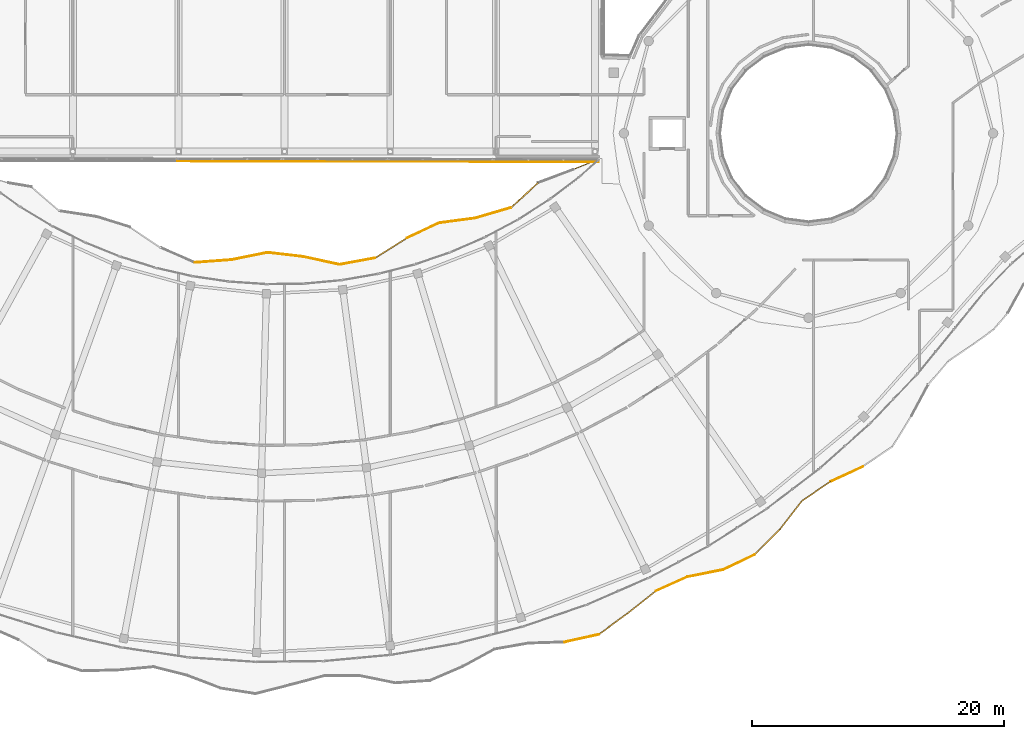
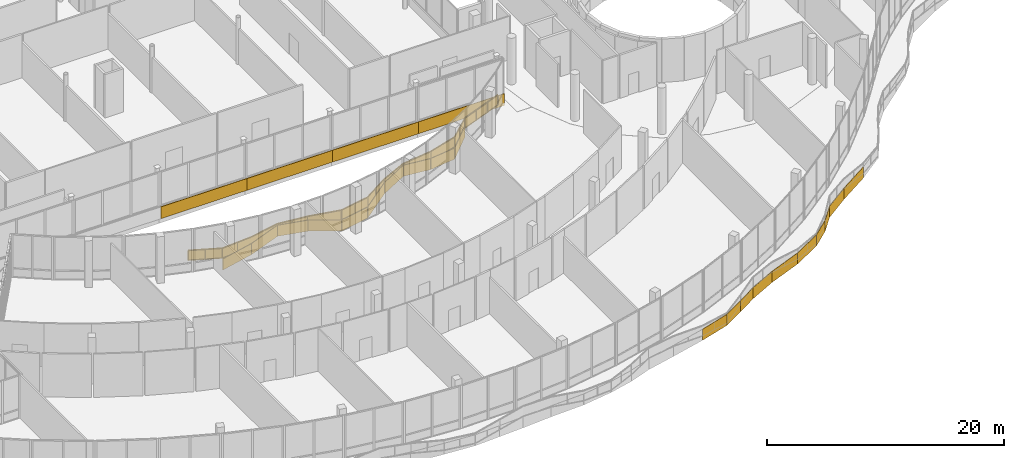
# One storey, part 146 of 155: 24 coverings, 1 railing.
"""IFC4 building model written with IfcOpenShell, lengths in metres."""

from ifc_helpers import new_model, si_unit, direction, frame, origin, origin_2d, place, context, subcontext, project, spatial, polyline, rectangle, outline, extrude, material, layer, layer_set, type_object, element, save


model = new_model("IFC4")

# Units and contexts
model_context = context("Model", 3, precision=1e-05, world=origin(), true_north=direction((0.0, 1.0)))
body_context = subcontext(model_context, "Body", "Model", "MODEL_VIEW")
ifc_project = project(units=[si_unit("LENGTHUNIT", "METRE"), si_unit("AREAUNIT", "SQUARE_METRE"), si_unit("VOLUMEUNIT", "CUBIC_METRE"), si_unit("PLANEANGLEUNIT", "RADIAN"), si_unit("MASSUNIT", "GRAM", prefix="KILO")], contexts=[model_context])

# Site, building, storey
site_placement = place(None, origin())
site = spatial("IfcSite", under=ifc_project, at=site_placement, CompositionType="ELEMENT")
building_placement = place(site_placement, origin())
building = spatial("IfcBuilding", under=site, at=building_placement, Name="Selatvlak General Hospital", CompositionType="ELEMENT")
storey_placement = place(building_placement, frame((0.0, 0.0, 10.199951171875)))
storey = spatial("IfcBuildingStorey", under=building, at=storey_placement, Name="L02", CompositionType="ELEMENT", Elevation=10.199951171875)

# Coverings
ifc_material_1 = material(Name="PVDF aluminium fascia - signal green", Category="aluminium")
ifc_layer_1 = layer(ifc_material_1, 0.070068359375, Name="PVDF aluminium fascia - signal green", Category="aluminium")
ifc_layer_set_1 = layer_set([ifc_layer_1], Name="PVDF aluminium fascia - signal green")
covering_type_1 = type_object("IfcCoveringType", Name="COV-RB-GRN", PredefinedType="CLADDING", material=ifc_layer_set_1)
covering_1_placement = place(storey_placement, frame((78.62890625, 13.613037109375, -0.4140625), z_axis=(0.0, 0.0, 1.0), x_axis=(0.976285312197, 0.21648784998, 0.0)))
element("IfcCovering", 1, at=covering_1_placement, inside=storey, type_object=covering_type_1, Name="L02 De Stijl waving fascia streamer 235", PredefinedType="CLADDING", context=body_context, shape_type="SweptSolid", body=[
    extrude(outline(polyline([(0.0, 0.0), (2.803466796875, 0.22021484375), (2.803466796875, 1.360107421875), (0.0, 1.139892578125), (0.0, 0.0)])), frame((0.0, 0.03515625, 0.0), z_axis=(0.0, -1.0, 0.0), x_axis=(1.0, 0.0, 0.0)), (0.0, 0.0, 1.0), 0.070068359375),
])
covering_2_placement = place(storey_placement, frame((81.364990234375, 14.219970703125, -0.19384765625), z_axis=(0.0, 0.0, 1.0), x_axis=(0.80467997945, 0.59370879282, 0.0)))
element("IfcCovering", 2, at=covering_2_placement, inside=storey, type_object=covering_type_1, Name="L02 De Stijl waving fascia streamer 236", PredefinedType="CLADDING", context=body_context, shape_type="SweptSolid", body=[
    extrude(outline(polyline([(0.0, 0.0), (2.8583984375, -0.445068359375), (2.8583984375, 0.69482421875), (0.0, 1.139892578125), (0.0, 0.0)])), frame((0.0, 0.03515625, 0.0), z_axis=(0.0, -1.0, 0.0), x_axis=(1.0, 0.0, 0.0)), (0.0, 0.0, 1.0), 0.070068359375),
])
covering_3_placement = place(storey_placement, frame((83.6650390625, 15.9169921875, -0.638916015625), z_axis=(0.0, 0.0, 1.0), x_axis=(0.784296306824, 0.620386414344, 0.0)))
element("IfcCovering", 3, at=covering_3_placement, inside=storey, type_object=covering_type_1, Name="L02 De Stijl waving fascia streamer 237", PredefinedType="CLADDING", context=body_context, shape_type="SweptSolid", body=[
    extrude(outline(polyline([(0.0, 0.0), (2.825439453125, -0.5009765625), (2.825439453125, 0.638916015625), (0.0, 1.139892578125), (0.0, 0.0)])), frame((0.0, 0.03515625, 0.0), z_axis=(0.0, -1.0, 0.0), x_axis=(1.0, 0.0, 0.0)), (0.0, 0.0, 1.0), 0.070068359375),
])
covering_4_placement = place(storey_placement, frame((85.8798828125, 17.6689453125, -1.139892578125), z_axis=(0.0, 0.0, 1.0), x_axis=(0.912155156516, 0.409845056626, 0.0)))
element("IfcCovering", 4, at=covering_4_placement, inside=storey, type_object=covering_type_1, Name="L02 De Stijl waving fascia streamer 238", PredefinedType="CLADDING", context=body_context, shape_type="SweptSolid", body=[
    extrude(outline(polyline([(0.0, 0.0), (2.7353515625, 0.1279296875), (2.7353515625, 1.267822265625), (0.0, 1.139892578125), (0.0, 0.0)])), frame((0.0, 0.03515625, 0.0), z_axis=(0.0, -1.0, 0.0), x_axis=(1.0, 0.0, 0.0)), (0.0, 0.0, 1.0), 0.070068359375),
])
covering_5_placement = place(storey_placement, frame((88.375, 18.7900390625, -1.011962890625), z_axis=(0.0, 0.0, 1.0), x_axis=(0.980677934452, 0.195629212742, 0.0)))
element("IfcCovering", 5, at=covering_5_placement, inside=storey, type_object=covering_type_1, Name="L02 De Stijl waving fascia streamer 239", PredefinedType="CLADDING", context=body_context, shape_type="SweptSolid", body=[
    extrude(outline(polyline([(0.0, 0.0), (2.892822265625, 0.5810546875), (2.892822265625, 1.720947265625), (0.0, 1.139892578125), (0.0, 0.0)])), frame((0.0, 0.03515625, 0.0), z_axis=(0.0, -1.0, 0.0), x_axis=(1.0, 0.0, 0.0)), (0.0, 0.0, 1.0), 0.070068359375),
])
covering_6_placement = place(storey_placement, frame((91.2109375, 19.35595703125, -0.430908203125), z_axis=(0.0, 0.0, 1.0), x_axis=(0.902997816233, 0.429645137152, 0.0)))
element("IfcCovering", 6, at=covering_6_placement, inside=storey, type_object=covering_type_1, Name="L02 De Stijl waving fascia streamer 240", PredefinedType="CLADDING", context=body_context, shape_type="SweptSolid", body=[
    extrude(outline(polyline([(0.0, 0.0), (2.79296875, 0.240966796875), (2.79296875, 1.380859375), (0.0, 1.139892578125), (0.0, 0.0)])), frame((0.0, 0.03515625, 0.0), z_axis=(0.0, -1.0, 0.0), x_axis=(1.0, 0.0, 0.0)), (0.0, 0.0, 1.0), 0.070068359375),
])
covering_7_placement = place(storey_placement, frame((93.73291015625, 20.554931640625, -0.18994140625), z_axis=(0.0, 0.0, 1.0), x_axis=(0.703950969934, 0.710248570523, 0.0)))
element("IfcCovering", 7, at=covering_7_placement, inside=storey, type_object=covering_type_1, Name="L02 De Stijl waving fascia streamer 241", PredefinedType="CLADDING", context=body_context, shape_type="SweptSolid", body=[
    extrude(outline(polyline([(0.0, 0.0), (2.830078125, -0.428955078125), (2.830078125, 0.7109375), (0.0, 1.139892578125), (0.0, 0.0)])), frame((0.0, 0.03515625, 0.0), z_axis=(0.0, -1.0, 0.0), x_axis=(1.0, 0.0, 0.0)), (0.0, 0.0, 1.0), 0.070068359375),
])
covering_8_placement = place(storey_placement, frame((95.72412109375, 22.56494140625, -0.618896484375), z_axis=(0.0, 0.0, 1.0), x_axis=(0.613757242628, 0.789494805, 0.0)))
element("IfcCovering", 8, at=covering_8_placement, inside=storey, type_object=covering_type_1, Name="L02 De Stijl waving fascia streamer 242", PredefinedType="CLADDING", context=body_context, shape_type="SweptSolid", body=[
    extrude(outline(polyline([(0.0, 0.0), (2.857666015625, -0.512939453125), (2.857666015625, 0.626953125), (0.0, 1.139892578125), (0.0, 0.0)])), frame((0.0, 0.03515625, 0.0), z_axis=(0.0, -1.0, 0.0), x_axis=(1.0, 0.0, 0.0)), (0.0, 0.0, 1.0), 0.070068359375),
])
covering_9_placement = place(storey_placement, frame((97.47802734375, 24.821044921875, -1.1318359375), z_axis=(0.0, 0.0, 1.0), x_axis=(0.828623574653, 0.559806191043, 0.0)))
element("IfcCovering", 9, at=covering_9_placement, inside=storey, type_object=covering_type_1, Name="L02 De Stijl waving fascia streamer 243", PredefinedType="CLADDING", context=body_context, shape_type="SweptSolid", body=[
    extrude(outline(polyline([(0.0, 0.0), (2.741943359375, 0.10595703125), (2.741943359375, 1.245849609375), (0.0, 1.139892578125), (0.0, 0.0)])), frame((0.0, 0.03515625, 0.0), z_axis=(0.0, -1.0, 0.0), x_axis=(1.0, 0.0, 0.0)), (0.0, 0.0, 1.0), 0.070068359375),
])
covering_10_placement = place(storey_placement, frame((99.7490234375, 26.35498046875, -1.02587890625), z_axis=(0.0, 0.0, 1.0), x_axis=(0.908036822909, 0.418890353484, 0.0)))
element("IfcCovering", 10, at=covering_10_placement, inside=storey, type_object=covering_type_1, Name="L02 De Stijl waving fascia streamer 244", PredefinedType="CLADDING", context=body_context, shape_type="SweptSolid", body=[
    extrude(outline(polyline([(0.0, 0.0), (2.85986328125, 0.578857421875), (2.85986328125, 1.71875), (0.0, 1.139892578125), (0.0, 0.0)])), frame((0.0, 0.03515625, 0.0), z_axis=(0.0, -1.0, 0.0), x_axis=(1.0, 0.0, 0.0)), (0.0, 0.0, 1.0), 0.070068359375),
])
covering_11_placement = place(storey_placement, frame((76.534912109375, 50.06689453125, -0.76806640625), z_axis=(0.0, 0.0, 1.0), x_axis=(-0.738148014706, -0.674638798458, 0.0)))
element("IfcCovering", 11, at=covering_11_placement, inside=storey, type_object=covering_type_1, Name="L02 De Stijl waving fascia streamer 286", PredefinedType="CLADDING", context=body_context, shape_type="SweptSolid", body=[
    extrude(outline(polyline([(0.0, 0.0), (2.913818359375, -0.411865234375), (2.913818359375, 0.72802734375), (0.0, 1.139892578125), (0.0, 0.0)])), frame((0.0, 0.03515625, 0.0), z_axis=(0.0, -1.0, 0.0), x_axis=(1.0, 0.0, 0.0)), (0.0, 0.0, 1.0), 0.070068359375),
])
covering_12_placement = place(storey_placement, frame((74.383056640625, 48.10107421875, -1.179931640625), z_axis=(0.0, 0.0, 1.0), x_axis=(-0.959267306125, -0.28249997416, 0.0)))
element("IfcCovering", 12, at=covering_12_placement, inside=storey, type_object=covering_type_1, Name="L02 De Stijl waving fascia streamer 287", PredefinedType="CLADDING", context=body_context, shape_type="SweptSolid", body=[
    extrude(outline(polyline([(0.0, 0.0), (2.931396484375, 0.410888671875), (2.931396484375, 1.55078125), (0.0, 1.139892578125), (0.0, 0.0)])), frame((0.0, 0.03515625, 0.0), z_axis=(0.0, -1.0, 0.0), x_axis=(1.0, 0.0, 0.0)), (0.0, 0.0, 1.0), 0.070068359375),
])
covering_13_placement = place(storey_placement, frame((71.570068359375, 47.27197265625, -0.76904296875), z_axis=(0.0, 0.0, 1.0), x_axis=(-0.99114671218, -0.132771212751, 0.0)))
element("IfcCovering", 13, at=covering_13_placement, inside=storey, type_object=covering_type_1, Name="L02 De Stijl waving fascia streamer 288", PredefinedType="CLADDING", context=body_context, shape_type="SweptSolid", body=[
    extrude(outline(polyline([(0.0, 0.0), (2.921875, 0.55712890625), (2.921875, 1.697021484375), (0.0, 1.139892578125), (0.0, 0.0)])), frame((0.0, 0.03515625, 0.0), z_axis=(0.0, -1.0, 0.0), x_axis=(1.0, 0.0, 0.0)), (0.0, 0.0, 1.0), 0.070068359375),
])
covering_14_placement = place(storey_placement, frame((68.673095703125, 46.884033203125, -0.2119140625), z_axis=(0.0, 0.0, 1.0), x_axis=(-0.905947373904, -0.423390311316, 0.0)))
element("IfcCovering", 14, at=covering_14_placement, inside=storey, type_object=covering_type_1, Name="L02 De Stijl waving fascia streamer 289", PredefinedType="CLADDING", context=body_context, shape_type="SweptSolid", body=[
    extrude(outline(polyline([(0.0, 0.0), (2.805908203125, -0.2080078125), (2.805908203125, 0.931884765625), (0.0, 1.139892578125), (0.0, 0.0)])), frame((0.0, 0.03515625, 0.0), z_axis=(0.0, -1.0, 0.0), x_axis=(1.0, 0.0, 0.0)), (0.0, 0.0, 1.0), 0.070068359375),
])
covering_15_placement = place(storey_placement, frame((66.1298828125, 45.695068359375, -0.419921875), z_axis=(0.0, 0.0, 1.0), x_axis=(-0.846406098989, -0.532537994508, 0.0)))
element("IfcCovering", 15, at=covering_15_placement, inside=storey, type_object=covering_type_1, Name="L02 De Stijl waving fascia streamer 290", PredefinedType="CLADDING", context=body_context, shape_type="SweptSolid", body=[
    extrude(outline(polyline([(0.0, 0.0), (2.98779296875, -0.633056640625), (2.98779296875, 0.5068359375), (0.0, 1.139892578125), (0.0, 0.0)])), frame((0.0, 0.03515625, 0.0), z_axis=(0.0, -1.0, 0.0), x_axis=(1.0, 0.0, 0.0)), (0.0, 0.0, 1.0), 0.070068359375),
])
covering_16_placement = place(storey_placement, frame((63.60009765625, 44.10400390625, -1.052978515625), z_axis=(0.0, 0.0, 1.0), x_axis=(-0.983352809917, -0.181706497485, 0.0)))
element("IfcCovering", 16, at=covering_16_placement, inside=storey, type_object=covering_type_1, Name="L02 De Stijl waving fascia streamer 291", PredefinedType="CLADDING", context=body_context, shape_type="SweptSolid", body=[
    extrude(outline(polyline([(0.0, 0.0), (2.8779296875, -0.02197265625), (2.8779296875, 1.117919921875), (0.0, 1.139892578125), (0.0, 0.0)])), frame((0.0, 0.03515625, 0.0), z_axis=(0.0, -1.0, 0.0), x_axis=(1.0, 0.0, 0.0)), (0.0, 0.0, 1.0), 0.070068359375),
])
covering_17_placement = place(storey_placement, frame((60.76806640625, 43.5810546875, -1.074951171875), z_axis=(0.0, 0.0, 1.0), x_axis=(-0.977306197626, 0.211831527593, 0.0)))
element("IfcCovering", 17, at=covering_17_placement, inside=storey, type_object=covering_type_1, Name="L02 De Stijl waving fascia streamer 292", PredefinedType="CLADDING", context=body_context, shape_type="SweptSolid", body=[
    extrude(outline(polyline([(0.0, 0.0), (2.982666015625, 0.6240234375), (2.982666015625, 1.763916015625), (0.0, 1.139892578125), (0.0, 0.0)])), frame((0.0, 0.03515625, 0.0), z_axis=(0.0, -1.0, 0.0), x_axis=(1.0, 0.0, 0.0)), (0.0, 0.0, 1.0), 0.070068359375),
])
covering_18_placement = place(storey_placement, frame((57.85205078125, 44.212890625, -0.450927734375), z_axis=(0.0, 0.0, 1.0), x_axis=(-0.993339980619, 0.11522014973, 0.0)))
element("IfcCovering", 18, at=covering_18_placement, inside=storey, type_object=covering_type_1, Name="L02 De Stijl waving fascia streamer 293", PredefinedType="CLADDING", context=body_context, shape_type="SweptSolid", body=[
    extrude(outline(polyline([(0.0, 0.0), (2.81396484375, 0.25), (2.81396484375, 1.389892578125), (0.0, 1.139892578125), (0.0, 0.0)])), frame((0.0, 0.03515625, 0.0), z_axis=(0.0, -1.0, 0.0), x_axis=(1.0, 0.0, 0.0)), (0.0, 0.0, 1.0), 0.070068359375),
])
covering_19_placement = place(storey_placement, frame((55.055908203125, 44.537109375, -0.200927734375), z_axis=(0.0, 0.0, 1.0), x_axis=(-0.980133595788, -0.198338434014, 0.0)))
element("IfcCovering", 19, at=covering_19_placement, inside=storey, type_object=covering_type_1, Name="L02 De Stijl waving fascia streamer 294", PredefinedType="CLADDING", context=body_context, shape_type="SweptSolid", body=[
    extrude(outline(polyline([(0.0, 0.0), (2.914794921875, -0.533935546875), (2.914794921875, 0.60595703125), (0.0, 1.139892578125), (0.0, 0.0)])), frame((0.0, 0.03515625, 0.0), z_axis=(0.0, -1.0, 0.0), x_axis=(1.0, 0.0, 0.0)), (0.0, 0.0, 1.0), 0.070068359375),
])
covering_20_placement = place(storey_placement, frame((52.197998046875, 43.958984375, -0.73486328125), z_axis=(0.0, 0.0, 1.0), x_axis=(-0.997312720751, -0.073262111814, 0.0)))
element("IfcCovering", 20, at=covering_20_placement, inside=storey, type_object=covering_type_1, Name="L02 De Stijl waving fascia streamer 295", PredefinedType="CLADDING", context=body_context, shape_type="SweptSolid", body=[
    extrude(outline(polyline([(0.0, 0.0), (2.935791015625, -0.444091796875), (2.935791015625, 0.69580078125), (0.0, 1.139892578125), (0.0, 0.0)])), frame((0.0, 0.03515625, 0.0), z_axis=(0.0, -1.0, 0.0), x_axis=(1.0, 0.0, 0.0)), (0.0, 0.0, 1.0), 0.070068359375),
])
ifc_material_2 = material(Name="White Bauhaus fair-faced cladding panel")
ifc_layer_2 = layer(ifc_material_2, 0.054931640625, Name="White Bauhaus fair-faced cladding panel")
ifc_layer_set_2 = layer_set([ifc_layer_2], Name="White Bauhaus fair-faced cladding panel")
covering_type_2 = type_object("IfcCoveringType", Name="COV-WHT1", PredefinedType="CLADDING", material=ifc_layer_set_2)
for number, where, z_axis, x_axis, name in (
    (21, (77.160888671875, 51.738037109375, -0.27978515625), (0.0, 0.0, 1.0), (-0.999998384157, 0.001797688161, 0.0), "L02 Bauhaus horizontal white spandrel band 0170"),
    (22, (68.799072265625, 51.7529296875, -0.27978515625), (0.0, 0.0, 1.0), (-0.999998384157, 0.001797688161, 0.0), "L02 Bauhaus horizontal white spandrel band 0171"),
    (23, (60.43701171875, 51.76806640625, -0.27978515625), (0.0, 0.0, 1.0), (-0.999998384157, 0.001797688161, 0.0), "L02 Bauhaus horizontal white spandrel band 0172"),
):
    element("IfcCovering", number, at=place(storey_placement, frame(where, z_axis=z_axis, x_axis=x_axis)), inside=storey, type_object=covering_type_2, Name=name, PredefinedType="CLADDING", context=body_context, shape_type="SweptSolid", body=[
        extrude(rectangle(XDim=8.362060546875, YDim=0.054931640625, at=origin_2d()), origin(), (0.0, 0.0, 1.0), 1.219970703125),
    ])
covering_21_placement = place(storey_placement, frame((52.074951171875, 51.782958984375, -0.27978515625), z_axis=(0.0, 0.0, 1.0), x_axis=(-0.999998384157, 0.001797688161, 0.0)))
element("IfcCovering", 24, at=covering_21_placement, inside=storey, type_object=covering_type_2, Name="L02 Bauhaus horizontal white spandrel band 0173", PredefinedType="CLADDING", context=body_context, shape_type="SweptSolid", body=[
    extrude(rectangle(XDim=8.361083984375, YDim=0.054931640625, at=origin_2d()), origin(), (0.0, 0.0, 1.0), 1.219970703125),
])

# Railing
ifc_material_3 = material(Name="Stainless steel 316 safety balustrade", Category="steel")
railing_type = type_object("IfcRailingType", Name="RAIL-BAL1", PredefinedType="BALUSTRADE", material=ifc_material_3)
railing_placement = place(storey_placement, frame((46.595947265625, 44.923095703125, 0.0)))
element("IfcRailing", 25, at=railing_placement, inside=storey, type_object=railing_type, Name="L02 continuous curved balcony balustrade 0016", PredefinedType="BALUSTRADE", context=body_context, shape_type="SweptSolid", body=[
    extrude(rectangle(XDim=0.068115234375, YDim=0.068115234375, at=origin_2d()), frame((0.002685546875, -0.001220703125, 1.0859375), z_axis=(0.916998218725, -0.398891297042, 0.0), x_axis=(0.398891297042, 0.916998218725, 0.0)), (0.0, 0.0, 1.0), 2.912353515625),
    extrude(rectangle(XDim=0.068115234375, YDim=0.068115234375, at=origin_2d()), frame((0.002685546875, -0.001220703125, 0.049072265625), z_axis=(0.916998218725, -0.398891297042, 0.0), x_axis=(0.398891297042, 0.916998218725, 0.0)), (0.0, 0.0, 1.0), 2.912353515625),
    extrude(outline(polyline([(0.0, 0.0), (2.90625, 0.0), (2.90625, 0.94189453125), (0.0, 0.94189453125), (0.0, 0.0)])), frame((0.0126953125, 0.01416015625, 0.0849609375), z_axis=(-0.398891297042, -0.916998218725, 0.0), x_axis=(0.916998218725, -0.398891297042, 0.0)), (0.0, 0.0, 1.0), 0.031982421875),
    extrude(rectangle(XDim=0.068115234375, YDim=0.068115234375, at=origin_2d()), frame((2.678955078125, -1.163818359375, 1.0859375), z_axis=(0.997312720751, 0.073262111814, 0.0), x_axis=(-0.073262111814, 0.997312720751, 0.0)), (0.0, 0.0, 1.0), 2.929931640625),
    extrude(rectangle(XDim=0.068115234375, YDim=0.068115234375, at=origin_2d()), frame((2.678955078125, -1.163818359375, 0.049072265625), z_axis=(0.997312720751, 0.073262111814, 0.0), x_axis=(-0.073262111814, 0.997312720751, 0.0)), (0.0, 0.0, 1.0), 2.929931640625),
    extrude(outline(polyline([(0.0, 0.0), (2.923828125, 0.0), (2.923828125, 0.94189453125), (0.0, 0.94189453125), (0.0, 0.0)])), frame((2.6806640625, -1.145751953125, 0.0849609375), z_axis=(0.073262111814, -0.997312720751, 0.0), x_axis=(0.997312720751, 0.073262111814, 0.0)), (0.0, 0.0, 1.0), 0.031982421875),
    extrude(rectangle(XDim=0.068115234375, YDim=0.068115234375, at=origin_2d()), frame((5.60693359375, -0.948486328125, 1.0859375), z_axis=(0.980149875115, 0.198257969099, 0.0), x_axis=(-0.198257969099, 0.980149875115, 0.0)), (0.0, 0.0, 1.0), 2.908935546875),
    extrude(rectangle(XDim=0.068115234375, YDim=0.068115234375, at=origin_2d()), frame((5.60693359375, -0.948486328125, 0.049072265625), z_axis=(0.980149875115, 0.198257969099, 0.0), x_axis=(-0.198257969099, 0.980149875115, 0.0)), (0.0, 0.0, 1.0), 2.908935546875),
    extrude(outline(polyline([(0.0, 0.0), (2.90283203125, 0.0), (2.90283203125, 0.94189453125), (0.0, 0.94189453125), (0.0, 0.0)])), frame((5.606201171875, -0.93017578125, 0.0849609375), z_axis=(0.198257969099, -0.980149875115, 0.0), x_axis=(0.980149875115, 0.198257969099, 0.0)), (0.0, 0.0, 1.0), 0.031982421875),
    extrude(rectangle(XDim=0.068115234375, YDim=0.068115234375, at=origin_2d()), frame((8.4638671875, -0.371337890625, 1.0859375), z_axis=(0.9933499072, -0.115134538113, 0.0), x_axis=(0.115134538113, 0.9933499072, 0.0)), (0.0, 0.0, 1.0), 2.80810546875),
    extrude(rectangle(XDim=0.068115234375, YDim=0.068115234375, at=origin_2d()), frame((8.4638671875, -0.371337890625, 0.049072265625), z_axis=(0.9933499072, -0.115134538113, 0.0), x_axis=(0.115134538113, 0.9933499072, 0.0)), (0.0, 0.0, 1.0), 2.80810546875),
    extrude(outline(polyline([(0.0, 0.0), (2.8017578125, 0.0), (2.8017578125, 0.94189453125), (0.0, 0.94189453125), (0.0, 0.0)])), frame((8.468994140625, -0.35400390625, 0.0849609375), z_axis=(-0.115134538113, -0.9933499072, 0.0), x_axis=(0.9933499072, -0.115134538113, 0.0)), (0.0, 0.0, 1.0), 0.031982421875),
    extrude(rectangle(XDim=0.068115234375, YDim=0.068115234375, at=origin_2d()), frame((11.259033203125, -0.69580078125, 1.0859375), z_axis=(0.977289249559, -0.211909704113, 0.0), x_axis=(0.211909704113, 0.977289249559, 0.0)), (0.0, 0.0, 1.0), 2.976806640625),
    extrude(rectangle(XDim=0.068115234375, YDim=0.068115234375, at=origin_2d()), frame((11.259033203125, -0.69580078125, 0.049072265625), z_axis=(0.977289249559, -0.211909704113, 0.0), x_axis=(0.211909704113, 0.977289249559, 0.0)), (0.0, 0.0, 1.0), 2.976806640625),
    extrude(outline(polyline([(0.0, 0.0), (2.970703125, 0.0), (2.970703125, 0.94189453125), (0.0, 0.94189453125), (0.0, 0.0)])), frame((11.265869140625, -0.6787109375, 0.0849609375), z_axis=(-0.211909704113, -0.977289249559, 0.0), x_axis=(0.977289249559, -0.211909704113, 0.0)), (0.0, 0.0, 1.0), 0.031982421875),
    extrude(rectangle(XDim=0.068115234375, YDim=0.068115234375, at=origin_2d()), frame((14.174072265625, -1.32666015625, 1.0859375), z_axis=(0.983350008703, 0.18172165634, 0.0), x_axis=(-0.18172165634, 0.983350008703, 0.0)), (0.0, 0.0, 1.0), 2.871826171875),
    extrude(rectangle(XDim=0.068115234375, YDim=0.068115234375, at=origin_2d()), frame((14.174072265625, -1.32666015625, 0.049072265625), z_axis=(0.983350008703, 0.18172165634, 0.0), x_axis=(-0.18172165634, 0.983350008703, 0.0)), (0.0, 0.0, 1.0), 2.871826171875),
    extrude(outline(polyline([(0.0, 0.0), (2.86572265625, 0.0), (2.86572265625, 0.94189453125), (0.0, 0.94189453125), (0.0, 0.0)])), frame((14.173828125, -1.308349609375, 0.0849609375), z_axis=(0.18172165634, -0.983350008703, 0.0), x_axis=(0.983350008703, 0.18172165634, 0.0)), (0.0, 0.0, 1.0), 0.031982421875),
    extrude(rectangle(XDim=0.068115234375, YDim=0.068115234375, at=origin_2d()), frame((17.00341796875, -0.802734375, 1.0859375), z_axis=(0.846429270749, 0.532501163961, 0.0), x_axis=(-0.532501163961, 0.846429270749, 0.0)), (0.0, 0.0, 1.0), 2.98193359375),
    extrude(rectangle(XDim=0.068115234375, YDim=0.068115234375, at=origin_2d()), frame((17.00341796875, -0.802734375, 0.049072265625), z_axis=(0.846429270749, 0.532501163961, 0.0), x_axis=(-0.532501163961, 0.846429270749, 0.0)), (0.0, 0.0, 1.0), 2.98193359375),
    extrude(outline(polyline([(0.0, 0.0), (2.975830078125, 0.0), (2.975830078125, 0.94189453125), (0.0, 0.94189453125), (0.0, 0.0)])), frame((16.99658203125, -0.785888671875, 0.0849609375), z_axis=(0.532501163961, -0.846429270749, 0.0), x_axis=(0.846429270749, 0.532501163961, 0.0)), (0.0, 0.0, 1.0), 0.031982421875),
    extrude(rectangle(XDim=0.068115234375, YDim=0.068115234375, at=origin_2d()), frame((19.53271484375, 0.7880859375, 1.0859375), z_axis=(0.905947373904, 0.423390311316, 0.0), x_axis=(-0.423390311316, 0.905947373904, 0.0)), (0.0, 0.0, 1.0), 2.800048828125),
    extrude(rectangle(XDim=0.068115234375, YDim=0.068115234375, at=origin_2d()), frame((19.53271484375, 0.7880859375, 0.049072265625), z_axis=(0.905947373904, 0.423390311316, 0.0), x_axis=(-0.423390311316, 0.905947373904, 0.0)), (0.0, 0.0, 1.0), 2.800048828125),
    extrude(outline(polyline([(0.0, 0.0), (2.7939453125, 0.0), (2.7939453125, 0.94189453125), (0.0, 0.94189453125), (0.0, 0.0)])), frame((19.52783203125, 0.8056640625, 0.0849609375), z_axis=(0.423390311316, -0.905947373904, 0.0), x_axis=(0.905947373904, 0.423390311316, 0.0)), (0.0, 0.0, 1.0), 0.031982421875),
    extrude(rectangle(XDim=0.068115234375, YDim=0.068115234375, at=origin_2d()), frame((22.074951171875, 1.975341796875, 1.0859375), z_axis=(0.99114671218, 0.132771212751, 0.0), x_axis=(-0.132771212751, 0.99114671218, 0.0)), (0.0, 0.0, 1.0), 2.916015625),
    extrude(rectangle(XDim=0.068115234375, YDim=0.068115234375, at=origin_2d()), frame((22.074951171875, 1.975341796875, 0.049072265625), z_axis=(0.99114671218, 0.132771212751, 0.0), x_axis=(-0.132771212751, 0.99114671218, 0.0)), (0.0, 0.0, 1.0), 2.916015625),
    extrude(outline(polyline([(0.0, 0.0), (2.909912109375, 0.0), (2.909912109375, 0.94189453125), (0.0, 0.94189453125), (0.0, 0.0)])), frame((22.07568359375, 1.993408203125, 0.0849609375), z_axis=(0.132771212751, -0.99114671218, 0.0), x_axis=(0.99114671218, 0.132771212751, 0.0)), (0.0, 0.0, 1.0), 0.031982421875),
    extrude(rectangle(XDim=0.068115234375, YDim=0.068115234375, at=origin_2d()), frame((24.970947265625, 2.363525390625, 1.0859375), z_axis=(0.959267306125, 0.28249997416, 0.0), x_axis=(-0.28249997416, 0.959267306125, 0.0)), (0.0, 0.0, 1.0), 2.925537109375),
    extrude(rectangle(XDim=0.068115234375, YDim=0.068115234375, at=origin_2d()), frame((24.970947265625, 2.363525390625, 0.049072265625), z_axis=(0.959267306125, 0.28249997416, 0.0), x_axis=(-0.28249997416, 0.959267306125, 0.0)), (0.0, 0.0, 1.0), 2.925537109375),
    extrude(outline(polyline([(0.0, 0.0), (2.91943359375, 0.0), (2.91943359375, 0.94189453125), (0.0, 0.94189453125), (0.0, 0.0)])), frame((24.96875, 2.3818359375, 0.0849609375), z_axis=(0.28249997416, -0.959267306125, 0.0), x_axis=(0.959267306125, 0.28249997416, 0.0)), (0.0, 0.0, 1.0), 0.031982421875),
    extrude(rectangle(XDim=0.068115234375, YDim=0.068115234375, at=origin_2d()), frame((27.7822265625, 3.19287109375, 1.0859375), z_axis=(0.738144425277, 0.674642725769, 0.0), x_axis=(-0.674642725769, 0.738144425277, 0.0)), (0.0, 0.0, 1.0), 2.908447265625),
    extrude(rectangle(XDim=0.068115234375, YDim=0.068115234375, at=origin_2d()), frame((27.7822265625, 3.19287109375, 0.049072265625), z_axis=(0.738144425277, 0.674642725769, 0.0), x_axis=(-0.674642725769, 0.738144425277, 0.0)), (0.0, 0.0, 1.0), 2.908447265625),
    extrude(outline(polyline([(0.0, 0.0), (2.90234375, 0.0), (2.90234375, 0.94189453125), (0.0, 0.94189453125), (0.0, 0.0)])), frame((27.772216796875, 3.208251953125, 0.0849609375), z_axis=(0.674642725769, -0.738144425277, 0.0), x_axis=(0.738144425277, 0.674642725769, 0.0)), (0.0, 0.0, 1.0), 0.031982421875),
    extrude(rectangle(XDim=0.068115234375, YDim=0.068115234375, at=origin_2d()), frame((29.933837890625, 5.157958984375, 1.0859375), z_axis=(0.935721836401, 0.352738777116, 0.0), x_axis=(-0.352738777116, 0.935721836401, 0.0)), (0.0, 0.0, 1.0), 3.007568359375),
    extrude(rectangle(XDim=0.068115234375, YDim=0.068115234375, at=origin_2d()), frame((29.933837890625, 5.157958984375, 0.049072265625), z_axis=(0.935721836401, 0.352738777116, 0.0), x_axis=(-0.352738777116, 0.935721836401, 0.0)), (0.0, 0.0, 1.0), 3.007568359375),
    extrude(outline(polyline([(0.0, 0.0), (3.00146484375, 0.0), (3.00146484375, 0.94189453125), (0.0, 0.94189453125), (0.0, 0.0)])), frame((29.930419921875, 5.176025390625, 0.0849609375), z_axis=(0.352738777116, -0.935721836401, 0.0), x_axis=(0.935721836401, 0.352738777116, 0.0)), (0.0, 0.0, 1.0), 0.031982421875),
    extrude(rectangle(XDim=0.068115234375, YDim=0.068115234375, at=origin_2d()), frame((32.753662109375, 6.22119140625, 1.0859375), z_axis=(0.926769409353, 0.375630752053, 0.0), x_axis=(-0.375630752053, 0.926769409353, 0.0)), (0.0, 0.0, 1.0), 1.442138671875),
    extrude(rectangle(XDim=0.068115234375, YDim=0.068115234375, at=origin_2d()), frame((32.753662109375, 6.22119140625, 0.049072265625), z_axis=(0.926769409353, 0.375630752053, 0.0), x_axis=(-0.375630752053, 0.926769409353, 0.0)), (0.0, 0.0, 1.0), 1.442138671875),
    extrude(outline(polyline([(0.0, 0.0), (1.43603515625, 0.0), (1.43603515625, 0.94189453125), (0.0, 0.94189453125), (0.0, 0.0)])), frame((32.749755859375, 6.239013671875, 0.0849609375), z_axis=(0.375630752053, -0.926769409353, 0.0), x_axis=(0.926769409353, 0.375630752053, 0.0)), (0.0, 0.0, 1.0), 0.031982421875),
    extrude(rectangle(XDim=0.055908203125, YDim=0.055908203125, at=origin_2d()), origin(), (0.0, 0.0, 1.0), 1.049072265625),
    extrude(rectangle(XDim=0.055908203125, YDim=0.055908203125, at=origin_2d()), frame((1.337890625, -0.58203125, 0.0)), (0.0, 0.0, 1.0), 1.049072265625),
    extrude(rectangle(XDim=0.055908203125, YDim=0.055908203125, at=origin_2d()), frame((2.676025390625, -1.1640625, 0.0)), (0.0, 0.0, 1.0), 1.049072265625),
    extrude(rectangle(XDim=0.055908203125, YDim=0.055908203125, at=origin_2d()), frame((4.14013671875, -1.056640625, 0.0)), (0.0, 0.0, 1.0), 1.049072265625),
    extrude(rectangle(XDim=0.055908203125, YDim=0.055908203125, at=origin_2d()), frame((5.60400390625, -0.948974609375, 0.0)), (0.0, 0.0, 1.0), 1.049072265625),
    extrude(rectangle(XDim=0.055908203125, YDim=0.055908203125, at=origin_2d()), frame((7.032470703125, -0.66015625, 0.0)), (0.0, 0.0, 1.0), 1.049072265625),
    extrude(rectangle(XDim=0.055908203125, YDim=0.055908203125, at=origin_2d()), frame((8.4609375, -0.37109375, 0.0)), (0.0, 0.0, 1.0), 1.049072265625),
    extrude(rectangle(XDim=0.055908203125, YDim=0.055908203125, at=origin_2d()), frame((9.8583984375, -0.533203125, 0.0)), (0.0, 0.0, 1.0), 1.049072265625),
    extrude(rectangle(XDim=0.055908203125, YDim=0.055908203125, at=origin_2d()), frame((11.256103515625, -0.695068359375, 0.0)), (0.0, 0.0, 1.0), 1.049072265625),
    extrude(rectangle(XDim=0.055908203125, YDim=0.055908203125, at=origin_2d()), frame((12.713623046875, -1.01123046875, 0.0)), (0.0, 0.0, 1.0), 1.049072265625),
    extrude(rectangle(XDim=0.055908203125, YDim=0.055908203125, at=origin_2d()), frame((14.171142578125, -1.3271484375, 0.0)), (0.0, 0.0, 1.0), 1.049072265625),
    extrude(rectangle(XDim=0.055908203125, YDim=0.055908203125, at=origin_2d()), frame((15.5859375, -1.065673828125, 0.0)), (0.0, 0.0, 1.0), 1.049072265625),
    extrude(rectangle(XDim=0.055908203125, YDim=0.055908203125, at=origin_2d()), frame((17.0009765625, -0.80419921875, 0.0)), (0.0, 0.0, 1.0), 1.049072265625),
    extrude(rectangle(XDim=0.055908203125, YDim=0.055908203125, at=origin_2d()), frame((18.265625, -0.0087890625, 0.0)), (0.0, 0.0, 1.0), 1.049072265625),
    extrude(rectangle(XDim=0.055908203125, YDim=0.055908203125, at=origin_2d()), frame((19.530029296875, 0.786865234375, 0.0)), (0.0, 0.0, 1.0), 1.049072265625),
    extrude(rectangle(XDim=0.055908203125, YDim=0.055908203125, at=origin_2d()), frame((20.801025390625, 1.380859375, 0.0)), (0.0, 0.0, 1.0), 1.049072265625),
    extrude(rectangle(XDim=0.055908203125, YDim=0.055908203125, at=origin_2d()), frame((22.072021484375, 1.974853515625, 0.0)), (0.0, 0.0, 1.0), 1.049072265625),
    extrude(rectangle(XDim=0.055908203125, YDim=0.055908203125, at=origin_2d()), frame((23.52001953125, 2.1689453125, 0.0)), (0.0, 0.0, 1.0), 1.049072265625),
    extrude(rectangle(XDim=0.055908203125, YDim=0.055908203125, at=origin_2d()), frame((24.968017578125, 2.36279296875, 0.0)), (0.0, 0.0, 1.0), 1.049072265625),
    extrude(rectangle(XDim=0.055908203125, YDim=0.055908203125, at=origin_2d()), frame((26.3740234375, 2.77685546875, 0.0)), (0.0, 0.0, 1.0), 1.049072265625),
    extrude(rectangle(XDim=0.055908203125, YDim=0.055908203125, at=origin_2d()), frame((27.780029296875, 3.19091796875, 0.0)), (0.0, 0.0, 1.0), 1.049072265625),
    extrude(rectangle(XDim=0.055908203125, YDim=0.055908203125, at=origin_2d()), frame((28.85546875, 4.173828125, 0.0)), (0.0, 0.0, 1.0), 1.049072265625),
    extrude(rectangle(XDim=0.055908203125, YDim=0.055908203125, at=origin_2d()), frame((29.93115234375, 5.156982421875, 0.0)), (0.0, 0.0, 1.0), 1.049072265625),
    extrude(rectangle(XDim=0.055908203125, YDim=0.055908203125, at=origin_2d()), frame((31.341064453125, 5.6884765625, 0.0)), (0.0, 0.0, 1.0), 1.049072265625),
    extrude(rectangle(XDim=0.055908203125, YDim=0.055908203125, at=origin_2d()), frame((32.7509765625, 6.219970703125, 0.0)), (0.0, 0.0, 1.0), 1.049072265625),
    extrude(rectangle(XDim=0.055908203125, YDim=0.055908203125, at=origin_2d()), frame((34.093017578125, 6.763916015625, 0.0)), (0.0, 0.0, 1.0), 1.049072265625),
])

save(model, "model.ifc")
